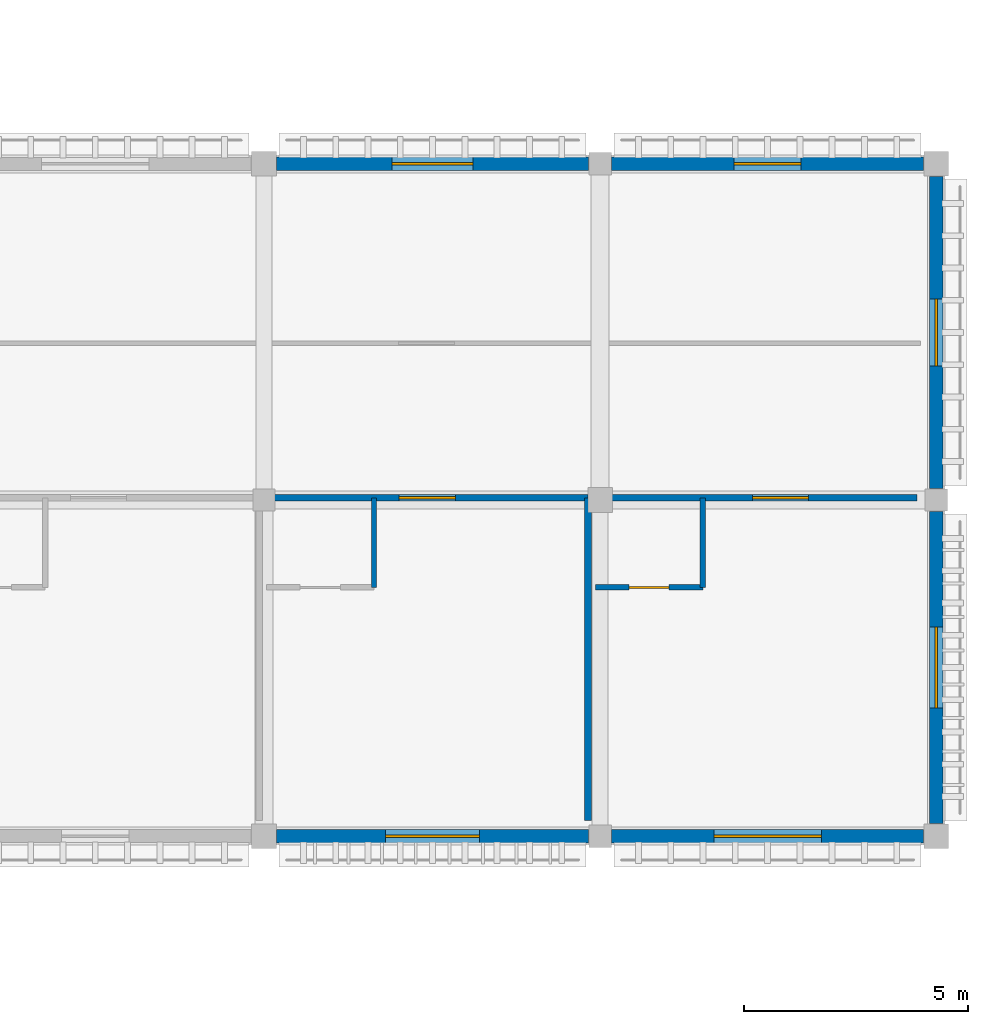
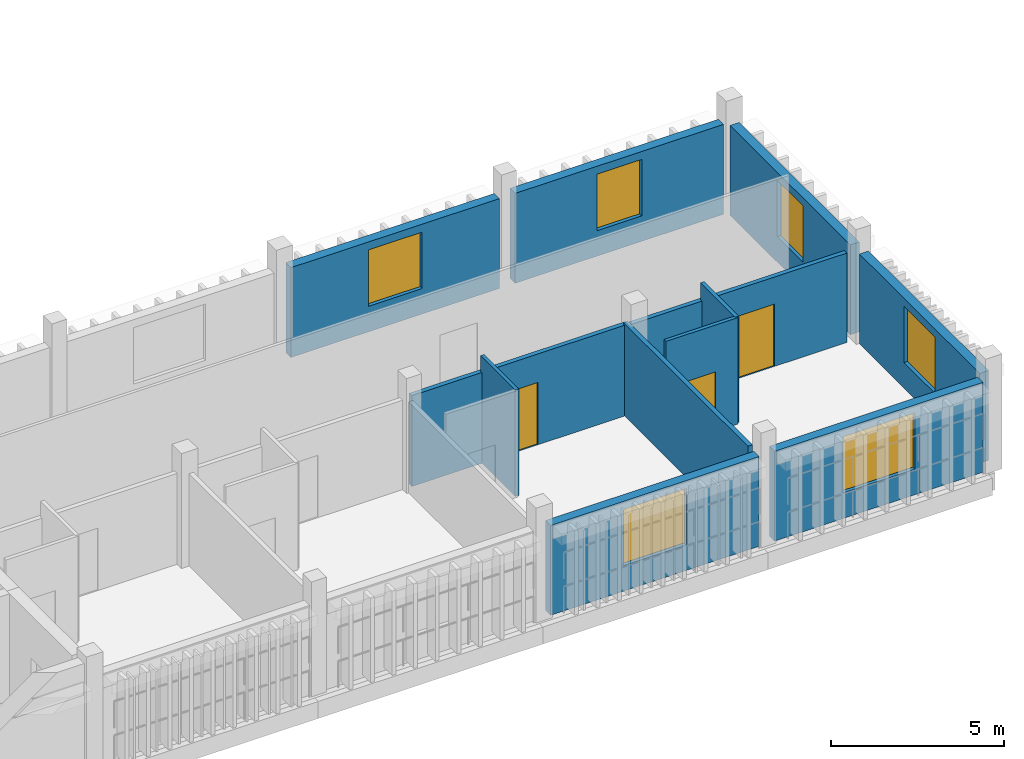
# One storey, part 27 of 48: 12 walls, 6 windows, 3 doors, 9 openings.
"""IFC4 building model written with IfcOpenShell, lengths in metres."""

from ifc_helpers import new_model, si_unit, direction, frame, frame_2d, origin, place, context, subcontext, project, spatial, rectangle, extrude, material, layer, layer_set, type_object, element, fill, save


model = new_model("IFC4")

# Units and contexts
model_context = context("Model", 3, precision=1e-05, world=origin(), true_north=direction((0.0, 1.0)))
body_context = subcontext(model_context, "Body", "Model", "MODEL_VIEW")
ifc_project = project(units=[si_unit("LENGTHUNIT", "METRE"), si_unit("AREAUNIT", "SQUARE_METRE"), si_unit("VOLUMEUNIT", "CUBIC_METRE"), si_unit("PLANEANGLEUNIT", "RADIAN"), si_unit("MASSUNIT", "GRAM", prefix="KILO")], contexts=[model_context])

# Site, building, storey
site_placement = place(None, origin())
site = spatial("IfcSite", under=ifc_project, at=site_placement, CompositionType="ELEMENT")
building_placement = place(site_placement, origin())
building = spatial("IfcBuilding", under=site, at=building_placement, Name="Dalvernix Boulevard General Hospital", CompositionType="ELEMENT")
storey_placement = place(building_placement, frame((0.0, 0.0, 17.85009765625)))
storey = spatial("IfcBuildingStorey", under=building, at=storey_placement, Name="L04", CompositionType="ELEMENT", Elevation=17.85009765625)

# Wall, opening, window
ifc_material_1 = material(Name="Pressed Catalan clay brick and ceramic spandrel wall C35/45", Category="masonry")
ifc_layer_1 = layer(ifc_material_1, 0.300048828125)
ifc_layer_set_1 = layer_set([ifc_layer_1], Name="Pressed Catalan clay brick and ceramic spandrel wall C35/45 (WAL-EW-02)")
wall_type_1 = type_object("IfcWallType", Name="WAL-EW-02", PredefinedType="STANDARD", material=ifc_layer_set_1)
wall_1_placement = place(storey_placement, frame((164.739990234375, 7.5, 0.0), z_axis=(0.0, 0.0, 1.0), x_axis=(-1.0, 0.0, 0.0)))
wall_1 = element("IfcWall", 1, at=wall_1_placement, inside=storey, type_object=wall_type_1, Name="L04 Catalan brick external wall S 21-1", PredefinedType="STANDARD", context=body_context, shape_type="SweptSolid", body=[
    extrude(rectangle(XDim=6.955078125, YDim=0.300048828125, at=frame_2d((3.4775390625, 0.0))), origin(), (0.0, 0.0, 1.0), 3.169921875),
])
opening_1_placement = place(wall_1_placement, frame((2.427490234375, 0.0, 0.89990234375)))
opening_1 = element("IfcOpeningElement", 2, at=opening_1_placement, cuts=wall_1, Name="Opening WN-03", PredefinedType="OPENING", context=body_context, shape_type="SweptSolid", body=[
    extrude(rectangle(XDim=2.10009765625, YDim=1.989990234375, at=frame_2d((1.050048828125, 0.9951171875))), frame((0.0, 0.159912109375, 0.0), z_axis=(0.0, -1.0, 0.0), x_axis=(1.0, 0.0, 0.0)), (0.0, 0.0, 1.0), 0.320068359375),
])
ifc_material_2 = material(Name="Thermally broken aluminium frame with solar-control double glazing", Category="aluminium")
window_type_1 = type_object("IfcWindowType", Name="WIN-WN-03", PartitioningType="SINGLE_PANEL", PredefinedType="WINDOW", material=ifc_material_2)
window_1_placement = place(opening_1_placement, origin())
window_1 = element("IfcWindow", 3, at=window_1_placement, inside=storey, type_object=window_type_1, Name="L04 clinical window WN-03 S 21-1", OverallHeight=1.989990234375, OverallWidth=2.10009765625, PartitioningType="SINGLE_PANEL", PredefinedType="WINDOW", context=body_context, shape_type="SweptSolid", body=[
    extrude(rectangle(XDim=2.10009765625, YDim=1.989990234375, at=frame_2d((1.050048828125, 0.9951171875))), frame((0.0, 0.030029296875, 0.0), z_axis=(0.0, -1.0, 0.0), x_axis=(1.0, 0.0, 0.0)), (0.0, 0.0, 1.0), 0.06005859375),
])
fill(opening_1, window_1)

wall_2_placement = place(storey_placement, frame((157.784912109375, 22.5, 0.0), z_axis=(0.0, 0.0, 1.0), x_axis=(1.0, 0.0, 0.0)))
wall_2 = element("IfcWall", 4, at=wall_2_placement, inside=storey, type_object=wall_type_1, Name="L04 Catalan brick external wall N 21-3", PredefinedType="STANDARD", context=body_context, shape_type="SweptSolid", body=[
    extrude(rectangle(XDim=6.955078125, YDim=0.300048828125, at=frame_2d((3.4775390625, 0.0))), origin(), (0.0, 0.0, 1.0), 3.169921875),
])
opening_2_placement = place(wall_2_placement, frame((2.577392578125, 0.0, 0.89990234375)))
opening_2 = element("IfcOpeningElement", 5, at=opening_2_placement, cuts=wall_2, Name="Opening WN-05", PredefinedType="OPENING", context=body_context, shape_type="SweptSolid", body=[
    extrude(rectangle(XDim=1.800048828125, YDim=1.989990234375, at=frame_2d((0.89990234375, 0.9951171875))), frame((0.0, 0.159912109375, 0.0), z_axis=(0.0, -1.0, 0.0), x_axis=(1.0, 0.0, 0.0)), (0.0, 0.0, 1.0), 0.320068359375),
])
window_type_2 = type_object("IfcWindowType", Name="WIN-WN-05", PartitioningType="SINGLE_PANEL", PredefinedType="WINDOW", material=ifc_material_2)
window_2_placement = place(opening_2_placement, origin())
window_2 = element("IfcWindow", 6, at=window_2_placement, inside=storey, type_object=window_type_2, Name="L04 clinical window WN-05 N 21-3", OverallHeight=1.989990234375, OverallWidth=1.800048828125, PartitioningType="SINGLE_PANEL", PredefinedType="WINDOW", context=body_context, shape_type="SweptSolid", body=[
    extrude(rectangle(XDim=1.800048828125, YDim=1.989990234375, at=frame_2d((0.89990234375, 0.9951171875))), frame((0.0, 0.030029296875, 0.0), z_axis=(0.0, -1.0, 0.0), x_axis=(1.0, 0.0, 0.0)), (0.0, 0.0, 1.0), 0.06005859375),
])
fill(opening_2, window_2)

wall_3_placement = place(storey_placement, frame((172.215087890625, 7.5, 0.0), z_axis=(0.0, 0.0, 1.0), x_axis=(-1.0, 0.0, 0.0)))
wall_3 = element("IfcWall", 7, at=wall_3_placement, inside=storey, type_object=wall_type_1, Name="L04 Catalan brick external wall S 22-1", PredefinedType="STANDARD", context=body_context, shape_type="SweptSolid", body=[
    extrude(rectangle(XDim=6.955078125, YDim=0.300048828125, at=frame_2d((3.4775390625, 0.0))), origin(), (0.0, 0.0, 1.0), 3.169921875),
])
opening_3_placement = place(wall_3_placement, frame((2.277587890625, 0.0, 0.89990234375)))
opening_3 = element("IfcOpeningElement", 8, at=opening_3_placement, cuts=wall_3, Name="Opening WN-04", PredefinedType="OPENING", context=body_context, shape_type="SweptSolid", body=[
    extrude(rectangle(XDim=2.39990234375, YDim=1.989990234375, at=frame_2d((1.199951171875, 0.9951171875))), frame((0.0, 0.159912109375, 0.0), z_axis=(0.0, -1.0, 0.0), x_axis=(1.0, 0.0, 0.0)), (0.0, 0.0, 1.0), 0.320068359375),
])
window_type_3 = type_object("IfcWindowType", Name="WIN-WN-04", PartitioningType="SINGLE_PANEL", PredefinedType="WINDOW", material=ifc_material_2)
window_3_placement = place(opening_3_placement, origin())
window_3 = element("IfcWindow", 9, at=window_3_placement, inside=storey, type_object=window_type_3, Name="L04 clinical window WN-04 S 22-1", OverallHeight=1.989990234375, OverallWidth=2.39990234375, PartitioningType="SINGLE_PANEL", PredefinedType="WINDOW", context=body_context, shape_type="SweptSolid", body=[
    extrude(rectangle(XDim=2.39990234375, YDim=1.989990234375, at=frame_2d((1.199951171875, 0.9951171875))), frame((0.0, 0.030029296875, 0.0), z_axis=(0.0, -1.0, 0.0), x_axis=(1.0, 0.0, 0.0)), (0.0, 0.0, 1.0), 0.06005859375),
])
fill(opening_3, window_3)

wall_4_placement = place(storey_placement, frame((172.5, 14.739990234375, 0.0), z_axis=(0.0, 0.0, 1.0), x_axis=(0.0, -1.0, 0.0)))
wall_4 = element("IfcWall", 10, at=wall_4_placement, inside=storey, type_object=wall_type_1, Name="L04 Catalan brick external wall E 23-1", PredefinedType="STANDARD", context=body_context, shape_type="SweptSolid", body=[
    extrude(rectangle(XDim=6.955078125, YDim=0.300048828125, at=frame_2d((3.4775390625, 0.0))), origin(), (0.0, 0.0, 1.0), 3.169921875),
])
opening_4_placement = place(wall_4_placement, frame((2.577392578125, 0.0, 0.89990234375)))
opening_4 = element("IfcOpeningElement", 11, at=opening_4_placement, cuts=wall_4, Name="Opening WN-05", PredefinedType="OPENING", context=body_context, shape_type="SweptSolid", body=[
    extrude(rectangle(XDim=1.800048828125, YDim=1.989990234375, at=frame_2d((0.89990234375, 0.9951171875))), frame((0.0, 0.159912109375, 0.0), z_axis=(0.0, -1.0, 0.0), x_axis=(1.0, 0.0, 0.0)), (0.0, 0.0, 1.0), 0.320068359375),
])
window_4_placement = place(opening_4_placement, origin())
window_4 = element("IfcWindow", 12, at=window_4_placement, inside=storey, type_object=window_type_2, Name="L04 clinical window WN-05 E 23-1", OverallHeight=1.989990234375, OverallWidth=1.800048828125, PartitioningType="SINGLE_PANEL", PredefinedType="WINDOW", context=body_context, shape_type="SweptSolid", body=[
    extrude(rectangle(XDim=1.800048828125, YDim=1.989990234375, at=frame_2d((0.89990234375, 0.9951171875))), frame((0.0, 0.030029296875, 0.0), z_axis=(0.0, -1.0, 0.0), x_axis=(1.0, 0.0, 0.0)), (0.0, 0.0, 1.0), 0.06005859375),
])
fill(opening_4, window_4)

wall_5_placement = place(storey_placement, frame((165.260009765625, 22.5, 0.0), z_axis=(0.0, 0.0, 1.0), x_axis=(1.0, 0.0, 0.0)))
wall_5 = element("IfcWall", 13, at=wall_5_placement, inside=storey, type_object=wall_type_1, Name="L04 Catalan brick external wall N 22-3", PredefinedType="STANDARD", context=body_context, shape_type="SweptSolid", body=[
    extrude(rectangle(XDim=6.955078125, YDim=0.300048828125, at=frame_2d((3.4775390625, 0.0))), origin(), (0.0, 0.0, 1.0), 3.169921875),
])
opening_5_placement = place(wall_5_placement, frame((2.7275390625, 0.0, 0.89990234375)))
opening_5 = element("IfcOpeningElement", 14, at=opening_5_placement, cuts=wall_5, Name="Opening WN-06", PredefinedType="OPENING", context=body_context, shape_type="SweptSolid", body=[
    extrude(rectangle(XDim=1.5, YDim=1.989990234375, at=frame_2d((0.75, 0.9951171875))), frame((0.0, 0.159912109375, 0.0), z_axis=(0.0, -1.0, 0.0), x_axis=(1.0, 0.0, 0.0)), (0.0, 0.0, 1.0), 0.320068359375),
])
window_type_4 = type_object("IfcWindowType", Name="WIN-WN-06", PartitioningType="SINGLE_PANEL", PredefinedType="WINDOW", material=ifc_material_2)
window_5_placement = place(opening_5_placement, origin())
window_5 = element("IfcWindow", 15, at=window_5_placement, inside=storey, type_object=window_type_4, Name="L04 clinical window WN-06 N 22-3", OverallHeight=1.989990234375, OverallWidth=1.5, PartitioningType="SINGLE_PANEL", PredefinedType="WINDOW", context=body_context, shape_type="SweptSolid", body=[
    extrude(rectangle(XDim=1.5, YDim=1.989990234375, at=frame_2d((0.75, 0.9951171875))), frame((0.0, 0.030029296875, 0.0), z_axis=(0.0, -1.0, 0.0), x_axis=(1.0, 0.0, 0.0)), (0.0, 0.0, 1.0), 0.06005859375),
])
fill(opening_5, window_5)

wall_6_placement = place(storey_placement, frame((172.5, 22.215087890625, 0.0), z_axis=(0.0, 0.0, 1.0), x_axis=(0.0, -1.0, 0.0)))
wall_6 = element("IfcWall", 16, at=wall_6_placement, inside=storey, type_object=wall_type_1, Name="L04 Catalan brick external wall E 23-2", PredefinedType="STANDARD", context=body_context, shape_type="SweptSolid", body=[
    extrude(rectangle(XDim=6.955078125, YDim=0.300048828125, at=frame_2d((3.4775390625, 0.0))), origin(), (0.0, 0.0, 1.0), 3.169921875),
])
opening_6_placement = place(wall_6_placement, frame((2.7275390625, 0.0, 0.89990234375)))
opening_6 = element("IfcOpeningElement", 17, at=opening_6_placement, cuts=wall_6, Name="Opening WN-06", PredefinedType="OPENING", context=body_context, shape_type="SweptSolid", body=[
    extrude(rectangle(XDim=1.5, YDim=1.989990234375, at=frame_2d((0.75, 0.9951171875))), frame((0.0, 0.159912109375, 0.0), z_axis=(0.0, -1.0, 0.0), x_axis=(1.0, 0.0, 0.0)), (0.0, 0.0, 1.0), 0.320068359375),
])
window_6_placement = place(opening_6_placement, origin())
window_6 = element("IfcWindow", 18, at=window_6_placement, inside=storey, type_object=window_type_4, Name="L04 clinical window WN-06 E 23-2", OverallHeight=1.989990234375, OverallWidth=1.5, PartitioningType="SINGLE_PANEL", PredefinedType="WINDOW", context=body_context, shape_type="SweptSolid", body=[
    extrude(rectangle(XDim=1.5, YDim=1.989990234375, at=frame_2d((0.75, 0.9951171875))), frame((0.0, 0.030029296875, 0.0), z_axis=(0.0, -1.0, 0.0), x_axis=(1.0, 0.0, 0.0)), (0.0, 0.0, 1.0), 0.06005859375),
])
fill(opening_6, window_6)

# Wall, opening, door
ifc_material_3 = material(Name="Acoustic double-stud gypsum inpatient partition")
ifc_layer_2 = layer(ifc_material_3, 0.14990234375)
ifc_layer_set_2 = layer_set([ifc_layer_2], Name="Acoustic double-stud gypsum inpatient partition (WAL-IW-04)")
wall_type_2 = type_object("IfcWallType", Name="WAL-IW-04", PredefinedType="PARTITIONING", material=ifc_layer_set_2)
wall_7_placement = place(storey_placement, frame((164.732421875, 15.050048828125, 0.0), z_axis=(0.0, 0.0, 1.0), x_axis=(-1.0, 0.0, 0.0)))
wall_7 = element("IfcWall", 19, at=wall_7_placement, inside=storey, type_object=wall_type_2, Name="L04 Paediatric Inpatient Room 03 corridor wall", PredefinedType="PARTITIONING", context=body_context, shape_type="SweptSolid", body=[
    extrude(rectangle(XDim=7.177490234375, YDim=0.14990234375, at=frame_2d((3.5888671875, 0.0))), origin(), (0.0, 0.0, 1.0), 3.204833984375),
])
opening_7_placement = place(wall_7_placement, frame((2.9638671875, 0.0, 0.0)))
opening_7 = element("IfcOpeningElement", 20, at=opening_7_placement, cuts=wall_7, Name="Opening ID-04", PredefinedType="OPENING", context=body_context, shape_type="SweptSolid", body=[
    extrude(rectangle(XDim=1.25, YDim=2.199951171875, at=frame_2d((0.625, 1.10009765625))), frame((0.0, 0.0849609375, 0.0), z_axis=(0.0, -1.0, 0.0), x_axis=(1.0, 0.0, 0.0)), (0.0, 0.0, 1.0), 0.169921875),
])
ifc_material_4 = material(Name="Hospital laminate acoustic timber and steel frame", Category="steel")
door_type_1 = type_object("IfcDoorType", Name="DR-ID-04", OperationType="NOTDEFINED", PredefinedType="DOOR", material=ifc_material_4)
door_1_placement = place(opening_7_placement, origin())
door_1 = element("IfcDoor", 21, at=door_1_placement, inside=storey, type_object=door_type_1, Name="L04 Paediatric Inpatient Room 03 door", OperationType="SINGLE_SWING_LEFT", OverallHeight=2.199951171875, OverallWidth=1.25, PredefinedType="DOOR", context=body_context, shape_type="SweptSolid", body=[
    extrude(rectangle(XDim=1.25, YDim=2.199951171875, at=frame_2d((0.625, 1.10009765625))), frame((0.0, 0.02490234375, 0.0), z_axis=(0.0, -1.0, 0.0), x_axis=(1.0, 0.0, 0.0)), (0.0, 0.0, 1.0), 0.050048828125),
])
fill(opening_7, door_1)

wall_8_placement = place(storey_placement, frame((172.070068359375, 15.050048828125, 0.0), z_axis=(0.0, 0.0, 1.0), x_axis=(-1.0, 0.0, 0.0)))
wall_8 = element("IfcWall", 22, at=wall_8_placement, inside=storey, type_object=wall_type_2, Name="L04 Paediatric Inpatient Room 04 corridor wall", PredefinedType="PARTITIONING", context=body_context, shape_type="SweptSolid", body=[
    extrude(rectangle(XDim=7.177490234375, YDim=0.14990234375, at=frame_2d((3.5888671875, 0.0))), origin(), (0.0, 0.0, 1.0), 3.15478515625),
])
opening_8_placement = place(wall_8_placement, frame((2.4208984375, 0.0, 0.0)))
opening_8 = element("IfcOpeningElement", 23, at=opening_8_placement, cuts=wall_8, Name="Opening ID-04", PredefinedType="OPENING", context=body_context, shape_type="SweptSolid", body=[
    extrude(rectangle(XDim=1.25, YDim=2.199951171875, at=frame_2d((0.625, 1.10009765625))), frame((0.0, 0.0849609375, 0.0), z_axis=(0.0, -1.0, 0.0), x_axis=(1.0, 0.0, 0.0)), (0.0, 0.0, 1.0), 0.169921875),
])
door_2_placement = place(opening_8_placement, origin())
door_2 = element("IfcDoor", 24, at=door_2_placement, inside=storey, type_object=door_type_1, Name="L04 Paediatric Inpatient Room 04 door", OperationType="SINGLE_SWING_LEFT", OverallHeight=2.199951171875, OverallWidth=1.25, PredefinedType="DOOR", context=body_context, shape_type="SweptSolid", body=[
    extrude(rectangle(XDim=1.25, YDim=2.199951171875, at=frame_2d((0.625, 1.10009765625))), frame((0.0, 0.02490234375, 0.0), z_axis=(0.0, -1.0, 0.0), x_axis=(1.0, 0.0, 0.0)), (0.0, 0.0, 1.0), 0.050048828125),
])
fill(opening_8, door_2)

# Walls
wall_9_placement = place(storey_placement, frame((164.732421875, 7.85009765625, 0.0), z_axis=(0.0, 0.0, 1.0), x_axis=(0.0, 1.0, 0.0)))
element("IfcWall", 25, at=wall_9_placement, inside=storey, type_object=wall_type_2, Name="L04 Paediatric Inpatient Room 03 partition", PredefinedType="PARTITIONING", context=body_context, shape_type="SweptSolid", body=[
    extrude(rectangle(XDim=7.199951171875, YDim=0.14990234375, at=frame_2d((3.60009765625, 0.0))), origin(), (0.0, 0.0, 1.0), 3.2548828125),
])
ifc_material_5 = material(Name="Moisture-resistant en-suite bathroom partition")
ifc_layer_3 = layer(ifc_material_5, 0.1201171875)
ifc_layer_set_3 = layer_set([ifc_layer_3], Name="Moisture-resistant en-suite bathroom partition (WAL-IW-05)")
wall_type_3 = type_object("IfcWallType", Name="WAL-IW-05", PredefinedType="PARTITIONING", material=ifc_layer_set_3)
wall_10_placement = place(storey_placement, frame((159.955078125, 13.050048828125, 0.0), z_axis=(0.0, 0.0, 1.0), x_axis=(0.0, 1.0, 0.0)))
element("IfcWall", 26, at=wall_10_placement, inside=storey, type_object=wall_type_3, Name="L04 en-suite bathroom side wall", PredefinedType="PARTITIONING", context=body_context, shape_type="SweptSolid", body=[
    extrude(rectangle(XDim=2.0, YDim=0.1201171875, at=frame_2d((1.0, 0.0))), origin(), (0.0, 0.0, 1.0), 3.7548828125),
])

# Wall, opening, door
wall_11_placement = place(storey_placement, frame((164.892578125, 13.050048828125, 0.0), z_axis=(0.0, 0.0, 1.0), x_axis=(1.0, 0.0, 0.0)))
wall_11 = element("IfcWall", 27, at=wall_11_placement, inside=storey, type_object=wall_type_3, Name="L04 en-suite bathroom door wall", PredefinedType="PARTITIONING", context=body_context, shape_type="SweptSolid", body=[
    extrude(rectangle(XDim=2.39990234375, YDim=0.1201171875, at=frame_2d((1.199951171875, 0.0))), origin(), (0.0, 0.0, 1.0), 3.7548828125),
])
opening_9_placement = place(wall_11_placement, frame((0.75, 0.0, 0.0)))
opening_9 = element("IfcOpeningElement", 28, at=opening_9_placement, cuts=wall_11, Name="Opening ID-05", PredefinedType="OPENING", context=body_context, shape_type="SweptSolid", body=[
    extrude(rectangle(XDim=0.89990234375, YDim=2.10009765625, at=frame_2d((0.449951171875, 1.050048828125))), frame((0.0, 0.070068359375, 0.0), z_axis=(0.0, -1.0, 0.0), x_axis=(1.0, 0.0, 0.0)), (0.0, 0.0, 1.0), 0.14013671875),
])
door_type_2 = type_object("IfcDoorType", Name="DR-ID-05", OperationType="NOTDEFINED", PredefinedType="DOOR", material=ifc_material_4)
door_3_placement = place(opening_9_placement, origin())
door_3 = element("IfcDoor", 29, at=door_3_placement, inside=storey, type_object=door_type_2, Name="L04 L04-V5-E4 en-suite bathroom door", OperationType="SINGLE_SWING_RIGHT", OverallHeight=2.10009765625, OverallWidth=0.89990234375, PredefinedType="DOOR", context=body_context, shape_type="SweptSolid", body=[
    extrude(rectangle(XDim=0.89990234375, YDim=2.10009765625, at=frame_2d((0.449951171875, 1.050048828125))), frame((0.0, 0.02490234375, 0.0), z_axis=(0.0, -1.0, 0.0), x_axis=(1.0, 0.0, 0.0)), (0.0, 0.0, 1.0), 0.050048828125),
])
fill(opening_9, door_3)

# Wall
wall_12_placement = place(storey_placement, frame((167.29248046875, 13.050048828125, 0.0), z_axis=(0.0, 0.0, 1.0), x_axis=(0.0, 1.0, 0.0)))
element("IfcWall", 30, at=wall_12_placement, inside=storey, type_object=wall_type_3, Name="L04 en-suite bathroom side wall", PredefinedType="PARTITIONING", context=body_context, shape_type="SweptSolid", body=[
    extrude(rectangle(XDim=2.0, YDim=0.1201171875, at=frame_2d((1.0, 0.0))), origin(), (0.0, 0.0, 1.0), 3.7548828125),
])

save(model, "model.ifc")
